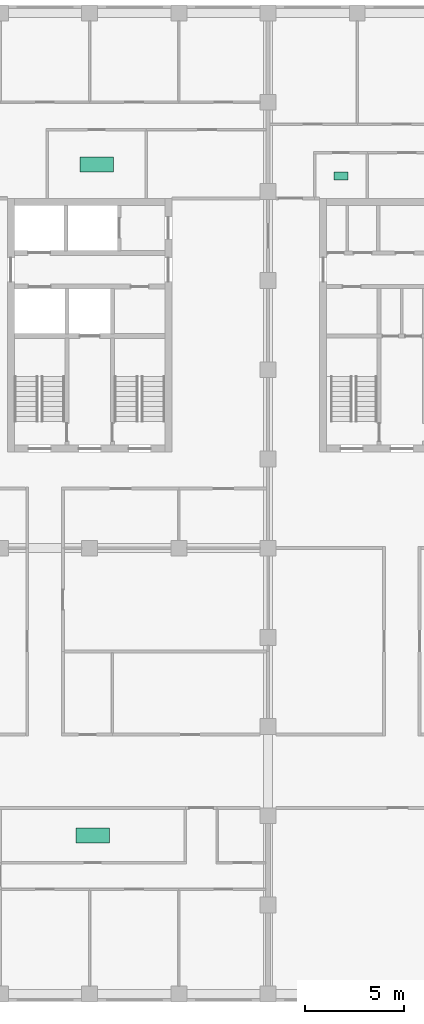
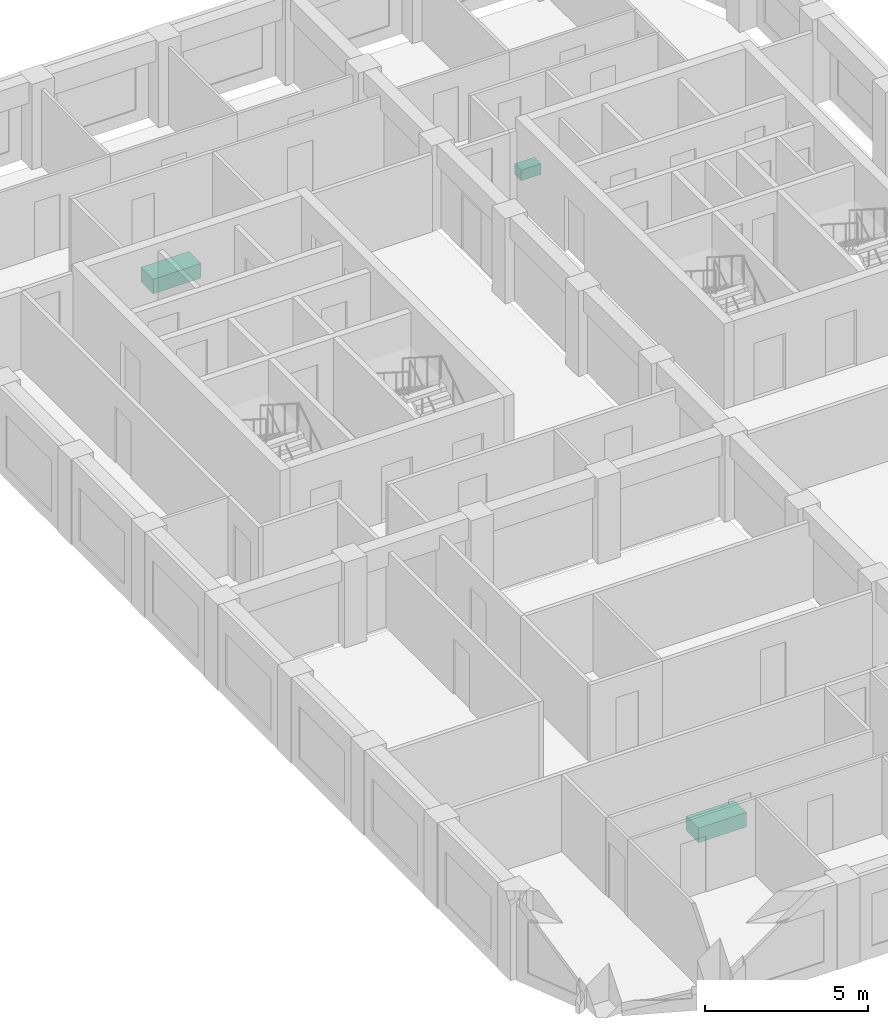
# One storey, part 9 of 9: 3 sanitary terminals.
"""IFC4 building model written with IfcOpenShell, lengths in metres."""

from ifc_helpers import new_model, si_unit, direction, frame, origin, origin_2d, place, context, subcontext, project, spatial, rectangle, extrude, material, type_object, element, save


model = new_model("IFC4")

# Units and contexts
model_context = context("Model", 3, precision=1e-05, world=origin(), true_north=direction((0.0, 1.0)))
body_context = subcontext(model_context, "Body", "Model", "MODEL_VIEW")
ifc_project = project(units=[si_unit("LENGTHUNIT", "METRE"), si_unit("AREAUNIT", "SQUARE_METRE"), si_unit("VOLUMEUNIT", "CUBIC_METRE"), si_unit("PLANEANGLEUNIT", "RADIAN"), si_unit("MASSUNIT", "GRAM", prefix="KILO")], contexts=[model_context])

# Site, building, storey
site_placement = place(None, origin())
site = spatial("IfcSite", under=ifc_project, at=site_placement, CompositionType="ELEMENT")
building_placement = place(site_placement, origin())
building = spatial("IfcBuilding", under=site, at=building_placement, Name="Girih Gate Residences", CompositionType="ELEMENT")
storey_placement = place(building_placement, frame((0.0, 0.0, 182.699951171875)))
storey = spatial("IfcBuildingStorey", under=building, at=storey_placement, Name="L50", CompositionType="ELEMENT", Elevation=182.699951171875)

# Sanitary terminals
ifc_material_1 = material(Name="Acrylic")
sanitary_terminal_type_1 = type_object("IfcSanitaryTerminalType", Name="Bath 1700", PredefinedType="BATH", material=ifc_material_1)
for number, where, z_axis, x_axis, name in (
    (1, (9.162109375, 8.009033203125, 0.0), (0.0, 0.0, 1.0), (1.0, 0.0, 0.0), "Bath 1700 L50"),
    (2, (9.35791015625, 41.85400390625, 0.0), (0.0, 0.0, 1.0), (1.0, 0.0, 0.0), "Bath 1700 L50"),
):
    element("IfcSanitaryTerminal", number, at=place(storey_placement, frame(where, z_axis=z_axis, x_axis=x_axis)), inside=storey, type_object=sanitary_terminal_type_1, Name=name, PredefinedType="BATH", context=body_context, shape_type="SweptSolid", body=[
        extrude(rectangle(XDim=1.699951171875, YDim=0.75, at=origin_2d()), origin(), (0.0, 0.0, 1.0), 0.550048828125),
    ])
ifc_material_2 = material(Name="Vitreous china")
sanitary_terminal_type_2 = type_object("IfcSanitaryTerminalType", Name="WC pan", PredefinedType="TOILETPAN", material=ifc_material_2)
sanitary_terminal_placement = place(storey_placement, frame((21.680908203125, 41.27392578125, 0.0), z_axis=(0.0, 0.0, 1.0), x_axis=(1.0, 0.0, 0.0)))
element("IfcSanitaryTerminal", 3, at=sanitary_terminal_placement, inside=storey, type_object=sanitary_terminal_type_2, Name="WC pan L50", PredefinedType="TOILETPAN", context=body_context, shape_type="SweptSolid", body=[
    extrude(rectangle(XDim=0.699951171875, YDim=0.39990234375, at=origin_2d()), origin(), (0.0, 0.0, 1.0), 0.39990234375),
])

save(model, "model.ifc")
